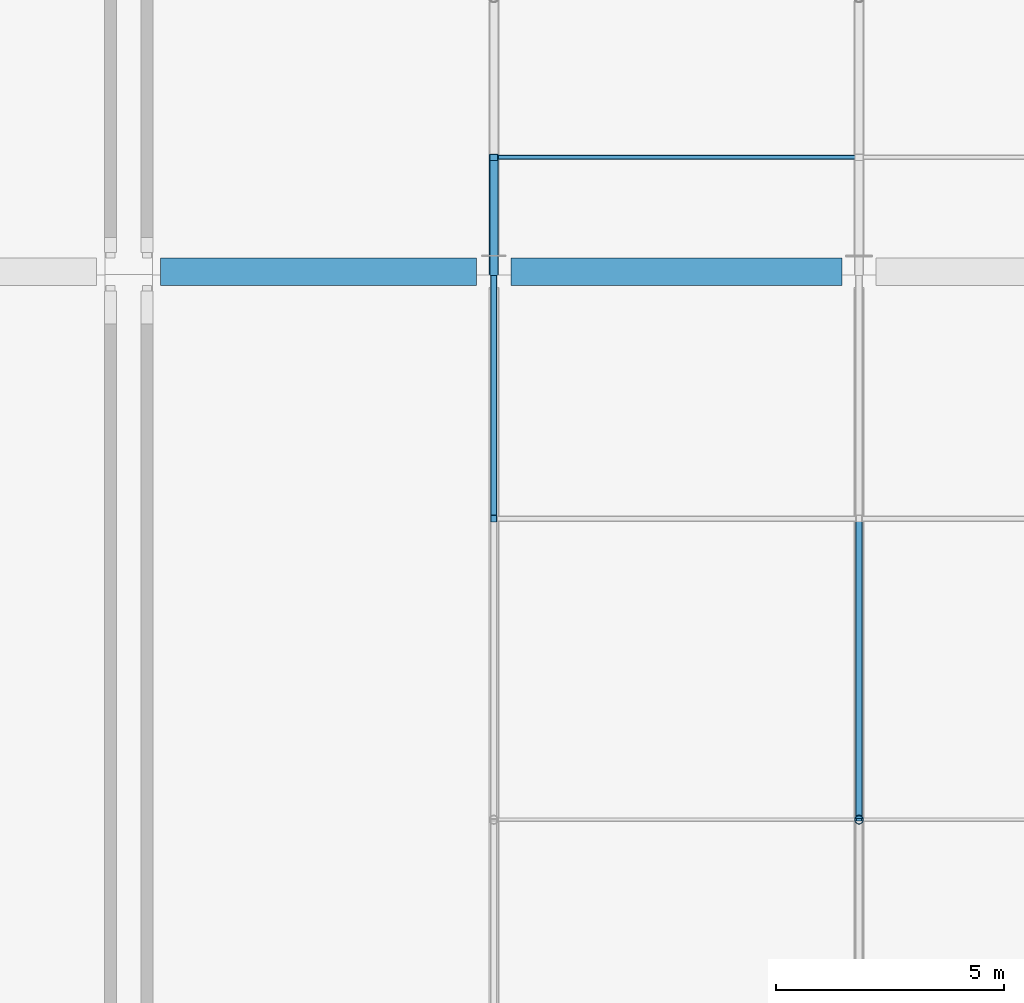
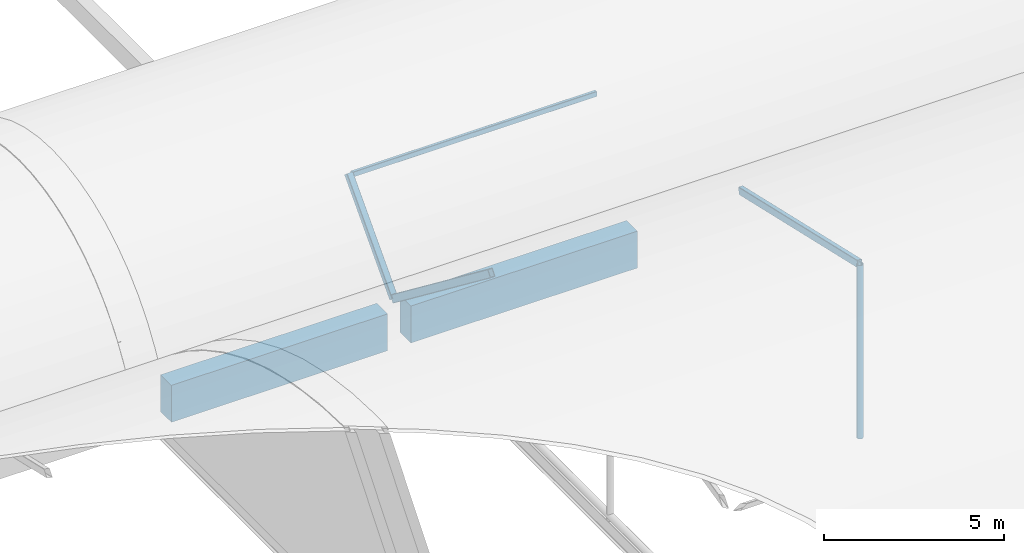
# One storey, part 29 of 57: 5 members, 2 beams.
"""IFC4 building model written with IfcOpenShell, lengths in metres."""

from ifc_helpers import new_model, si_unit, direction, frame, origin, origin_2d, place, context, subcontext, project, spatial, rectangle, hollow_rectangle, hollow_circle, extrude, material, material_profile, profile_set, type_object, element, save


model = new_model("IFC4")

# Units and contexts
model_context = context("Model", 3, precision=1e-05, world=origin(), true_north=direction((0.0, 1.0)))
body_context = subcontext(model_context, "Body", "Model", "MODEL_VIEW")
ifc_project = project(units=[si_unit("LENGTHUNIT", "METRE"), si_unit("AREAUNIT", "SQUARE_METRE"), si_unit("VOLUMEUNIT", "CUBIC_METRE"), si_unit("PLANEANGLEUNIT", "RADIAN"), si_unit("MASSUNIT", "GRAM", prefix="KILO"), si_unit("THERMODYNAMICTEMPERATUREUNIT", "KELVIN"), si_unit("POWERUNIT", "WATT")], contexts=[model_context])

# Site, building, storey
site_placement = place(None, origin())
site = spatial("IfcSite", under=ifc_project, at=site_placement, CompositionType="ELEMENT")
building_placement = place(site_placement, origin())
building = spatial("IfcBuilding", under=site, at=building_placement, Name="Kronsvod Quay Wholesale Market", CompositionType="ELEMENT")
storey_placement = place(building_placement, frame((0.0, 0.0, 13.199951171875)))
storey = spatial("IfcBuildingStorey", under=building, at=storey_placement, Name="L03", CompositionType="ELEMENT", Elevation=13.199951171875)

# Beams
ifc_material_1 = material(Name="Precast concrete C40/50", Category="concrete")
ifc_material_profile_1 = material_profile(ifc_material_1, rectangle(XDim=0.60009765625, YDim=1.25, at=origin_2d()), Name="PCVG600x1250")
ifc_profile_set_1 = profile_set([ifc_material_profile_1], Name="Precast concrete C40/50")
beam_type = type_object("IfcBeamType", Name="Girder_PCVG600x1250", PredefinedType="T_BEAM", material=ifc_profile_set_1)
beam_1_placement = place(storey_placement, frame((128.699951171875, 78.0, -0.844970703125), z_axis=(1.0, 0.0, 0.0), x_axis=(0.0, 1.0, 0.0)))
element("IfcBeam", 1, at=beam_1_placement, inside=storey, type_object=beam_type, Name="BMX-L03-1284-780", PredefinedType="T_BEAM", context=body_context, shape_type="SweptSolid", body=[
    extrude(rectangle(XDim=0.60009765625, YDim=1.25, at=origin_2d()), origin(), (0.0, 0.0, 1.0), 6.925048828125),
])
beam_2_placement = place(storey_placement, frame((136.375, 78.0, -0.844970703125), z_axis=(1.0, 0.0, 0.0), x_axis=(0.0, 1.0, 0.0)))
element("IfcBeam", 2, at=beam_2_placement, inside=storey, type_object=beam_type, Name="BMX-L03-1360-780", PredefinedType="T_BEAM", context=body_context, shape_type="SweptSolid", body=[
    extrude(rectangle(XDim=0.60009765625, YDim=1.25, at=origin_2d()), origin(), (0.0, 0.0, 1.0), 7.25),
])

# Members
ifc_material_2 = material(Name="Steel S355", Category="steel")
ifc_material_profile_2 = material_profile(ifc_material_2, hollow_rectangle(XDim=0.199951171875, YDim=0.199951171875, WallThickness=0.010009765625, InnerFilletRadius=0.010009765625, OuterFilletRadius=0.02001953125, at=origin_2d()), Name="RHS200x200x10")
ifc_profile_set_2 = profile_set([ifc_material_profile_2], Name="Steel S355")
member_type_1 = type_object("IfcMemberType", Name="Member_Arch200x200", PredefinedType="RAFTER", material=ifc_profile_set_2)
member_1_placement = place(storey_placement, frame((136.0, 78.0, -0.010009765625), z_axis=(0.0, 0.67865576732, 0.734456499381), x_axis=(-1.0, 0.0, 0.0)))
element("IfcMember", 3, at=member_1_placement, inside=storey, type_object=member_type_1, Name="ARCG-SH-V2E-N-1360-0", PredefinedType="RAFTER", context=body_context, shape_type="SweptSolid", body=[
    extrude(hollow_rectangle(XDim=0.199951171875, YDim=0.199951171875, WallThickness=0.010009765625, InnerFilletRadius=0.010009765625, OuterFilletRadius=0.02001953125, at=origin_2d()), origin(), (0.0, 0.0, 1.0), 3.697021484375),
])
ifc_material_3 = material(Name="Steel S355", Category="steel")
ifc_material_profile_3 = material_profile(ifc_material_3, hollow_rectangle(XDim=0.14990234375, YDim=0.25, WallThickness=0.010009765625, InnerFilletRadius=0.010009765625, OuterFilletRadius=0.02001953125, at=origin_2d()), Name="RHS250x150x10")
ifc_profile_set_3 = profile_set([ifc_material_profile_3], Name="Steel S355")
member_type_2 = type_object("IfcMemberType", Name="Member_Arch250x150", PredefinedType="RAFTER", material=ifc_profile_set_3)
member_2_placement = place(storey_placement, frame((136.0, 72.594482421875, 4.1298828125), z_axis=(0.0, 0.79391386882, -0.608030236827), x_axis=(-1.0, 0.0, 0.0)))
element("IfcMember", 4, at=member_2_placement, inside=storey, type_object=member_type_2, Name="ARCG-SH-V2E-M-1360-3", PredefinedType="RAFTER", context=body_context, shape_type="SweptSolid", body=[
    extrude(hollow_rectangle(XDim=0.14990234375, YDim=0.25, WallThickness=0.010009765625, InnerFilletRadius=0.010009765625, OuterFilletRadius=0.02001953125, at=origin_2d()), origin(), (0.0, 0.0, 1.0), 6.80859375),
])
member_3_placement = place(storey_placement, frame((144.0, 66.0, 5.64013671875), z_axis=(0.0, 0.974763902227, -0.223238291777), x_axis=(-1.0, 0.0, 0.0)))
element("IfcMember", 5, at=member_3_placement, inside=storey, type_object=member_type_2, Name="ARCG-SH-V2E-M-1440-2", PredefinedType="RAFTER", context=body_context, shape_type="SweptSolid", body=[
    extrude(hollow_rectangle(XDim=0.14990234375, YDim=0.25, WallThickness=0.010009765625, InnerFilletRadius=0.010009765625, OuterFilletRadius=0.02001953125, at=origin_2d()), origin(), (0.0, 0.0, 1.0), 6.76513671875),
])
ifc_material_4 = material(Name="Steel S355", Category="steel")
ifc_material_profile_4 = material_profile(ifc_material_4, hollow_circle(Radius=0.096923828125, WallThickness=0.008056640625, at=origin_2d()), Name="CHS194x8")
ifc_profile_set_4 = profile_set([ifc_material_profile_4], Name="Steel S355")
member_type_3 = type_object("IfcMemberType", Name="Member_Brace194x8", PredefinedType="BRACE", material=ifc_profile_set_4)
member_4_placement = place(storey_placement, frame((144.0, 66.0, -0.22998046875), z_axis=(0.0, 0.0, 1.0), x_axis=(1.0, 0.0, 0.0)))
element("IfcMember", 6, at=member_4_placement, inside=storey, type_object=member_type_3, Name="KPST-SH-V2E-M-1440", PredefinedType="BRACE", context=body_context, shape_type="SweptSolid", body=[
    extrude(hollow_circle(Radius=0.096923828125, WallThickness=0.008056640625, at=origin_2d()), origin(), (0.0, 0.0, 1.0), 5.8701171875),
])
ifc_material_5 = material(Name="Steel S355", Category="steel")
ifc_material_profile_5 = material_profile(ifc_material_5, hollow_rectangle(XDim=0.10009765625, YDim=0.179931640625, WallThickness=0.008056640625, InnerFilletRadius=0.008056640625, OuterFilletRadius=0.01611328125, at=origin_2d()), Name="RHS180x100x8")
ifc_profile_set_5 = profile_set([ifc_material_profile_5], Name="Steel S355")
member_type_4 = type_object("IfcMemberType", Name="Member_Purlin180x100", PredefinedType="PURLIN", material=ifc_profile_set_5)
member_5_placement = place(storey_placement, frame((136.080078125, 80.509033203125, 2.645263671875), z_axis=(1.0, 0.0, 0.0), x_axis=(0.0, 1.0, 0.0)))
element("IfcMember", 7, at=member_5_placement, inside=storey, type_object=member_type_4, Name="PRLG-SH-V2E-N-0-0", PredefinedType="PURLIN", context=body_context, shape_type="SweptSolid", body=[
    extrude(hollow_rectangle(XDim=0.10009765625, YDim=0.179931640625, WallThickness=0.008056640625, InnerFilletRadius=0.008056640625, OuterFilletRadius=0.01611328125, at=origin_2d()), origin(), (0.0, 0.0, 1.0), 7.83984375),
])

save(model, "model.ifc")
